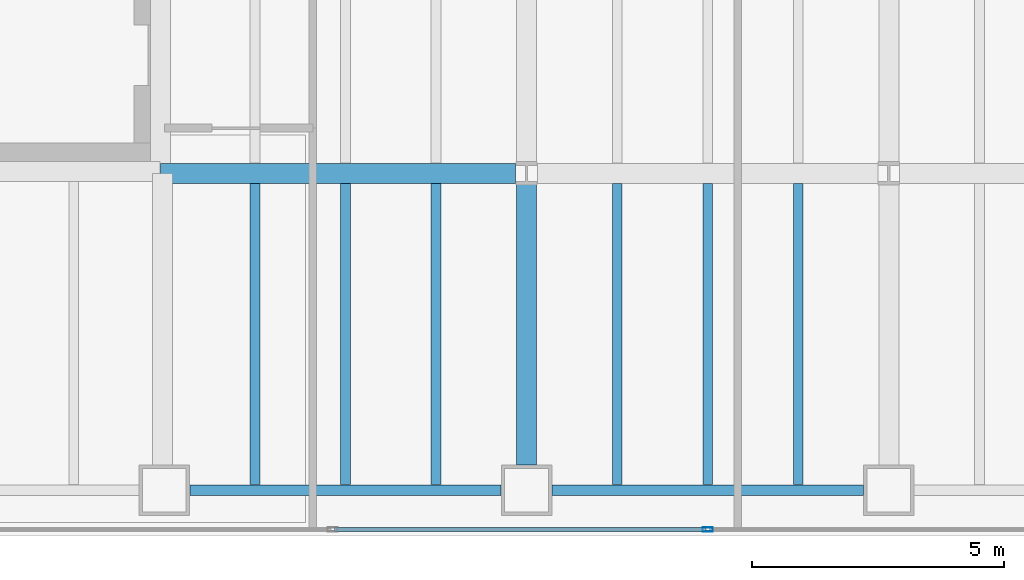
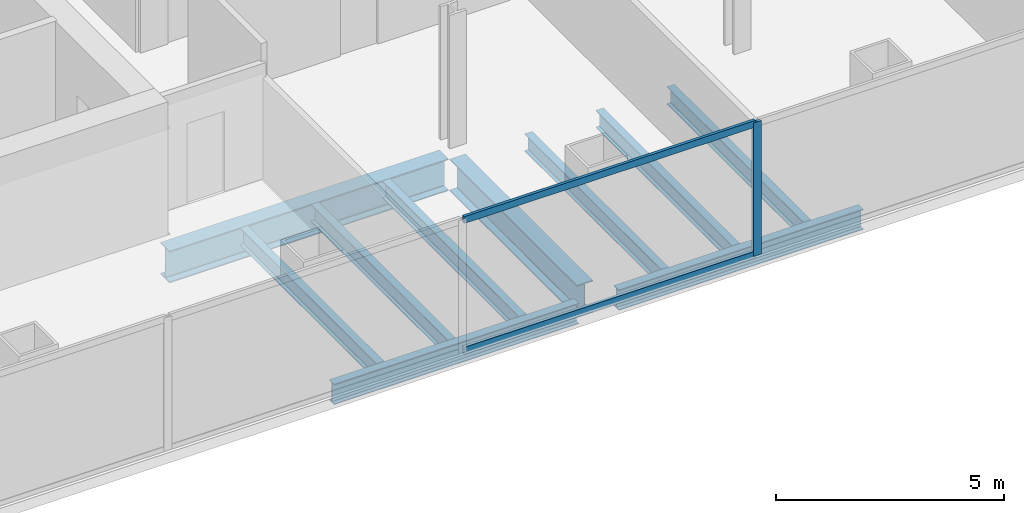
# One storey, part 4 of 25: 10 beams, 3 members, 1 element without a shape of its own.
"""IFC4 building model written with IfcOpenShell, lengths in metres."""

from ifc_helpers import new_model, si_unit, direction, frame, origin, origin_2d, place, context, subcontext, project, spatial, hollow_rectangle, i_section, extrude, material, material_profile, profile_set, type_object, element, aggregate, save


model = new_model("IFC4")

# Units and contexts
model_context = context("Model", 3, precision=1e-05, world=origin(), true_north=direction((0.0, 1.0)))
body_context = subcontext(model_context, "Body", "Model", "MODEL_VIEW")
ifc_project = project(units=[si_unit("LENGTHUNIT", "METRE"), si_unit("AREAUNIT", "SQUARE_METRE"), si_unit("VOLUMEUNIT", "CUBIC_METRE"), si_unit("PLANEANGLEUNIT", "RADIAN"), si_unit("MASSUNIT", "GRAM", prefix="KILO")], contexts=[model_context])

# Site, building, storey
site_placement = place(None, origin())
site = spatial("IfcSite", under=ifc_project, at=site_placement, CompositionType="ELEMENT")
building_placement = place(site_placement, origin())
building = spatial("IfcBuilding", under=site, at=building_placement, Name="Cobrela Telecom Tower", CompositionType="ELEMENT")
storey_placement = place(building_placement, frame((0.0, 0.0, 61.949951171875)))
storey = spatial("IfcBuildingStorey", under=building, at=storey_placement, Name="L15", CompositionType="ELEMENT", Elevation=61.949951171875)

# Beams
ifc_material_1 = material(Name="Steel ASTM A992 Grade 50", Category="steel")
ifc_material_profile_1 = material_profile(ifc_material_1, i_section(OverallWidth=0.39892578125, OverallDepth=0.85595703125, WebThickness=0.018310546875, FlangeThickness=0.029296875, FilletRadius=0.02001953125, at=origin_2d()), Name="W33X201")
ifc_profile_set_1 = profile_set([ifc_material_profile_1], Name="Steel ASTM A992 Grade 50")
beam_type_1 = type_object("IfcBeamType", Name="BM-GIRD-03", PredefinedType="USERDEFINED", material=ifc_profile_set_1)
beam_1_placement = place(storey_placement, frame((14.324951171875, 7.199951171875, -0.7080078125), z_axis=(1.0, 0.0, 0.0), x_axis=(0.0, 1.0, 0.0)))
element("IfcBeam", 1, at=beam_1_placement, inside=storey, type_object=beam_type_1, Name="L15 Primary Girder X08", ObjectType="GIRDER", PredefinedType="USERDEFINED", context=body_context, shape_type="SweptSolid", body=[
    extrude(i_section(OverallWidth=0.39892578125, OverallDepth=0.85595703125, WebThickness=0.018310546875, FlangeThickness=0.029296875, FilletRadius=0.02001953125, at=origin_2d()), origin(), (0.0, 0.0, 1.0), 7.05908203125),
])
beam_2_placement = place(storey_placement, frame((21.60009765625, 1.405029296875, -0.7080078125), z_axis=(0.0, 1.0, 0.0), x_axis=(-1.0, 0.0, 0.0)))
element("IfcBeam", 2, at=beam_2_placement, inside=storey, type_object=beam_type_1, Name="L15 Primary Girder Y40", ObjectType="GIRDER", PredefinedType="USERDEFINED", context=body_context, shape_type="SweptSolid", body=[
    extrude(i_section(OverallWidth=0.39892578125, OverallDepth=0.85595703125, WebThickness=0.018310546875, FlangeThickness=0.029296875, FilletRadius=0.02001953125, at=origin_2d()), origin(), (0.0, 0.0, 1.0), 5.578857421875),
])
ifc_material_profile_2 = material_profile(ifc_material_1, i_section(OverallWidth=0.193115234375, OverallDepth=0.467041015625, WebThickness=0.011474609375, FlangeThickness=0.01904296875, FilletRadius=0.012939453125, at=origin_2d()), Name="W18X65")
ifc_profile_set_2 = profile_set([ifc_material_profile_2], Name="Steel ASTM A992 Grade 50")
beam_type_2 = type_object("IfcBeamType", Name="BM-JOIST-03", PredefinedType="JOIST", material=ifc_profile_set_2)
for number, where, z_axis, x_axis, name in (
    (3, (16.199951171875, 1.011474609375, -0.513427734375), (0.0, 1.0, 0.0), (-1.0, 0.0, 0.0), "L15 Secondary Composite Floor Beam J07"),
    (4, (18.0, 1.011474609375, -0.513427734375), (0.0, 1.0, 0.0), (-1.0, 0.0, 0.0), "L15 Secondary Composite Floor Beam J13"),
    (5, (19.800048828125, 1.011474609375, -0.513427734375), (0.0, 1.0, 0.0), (-1.0, 0.0, 0.0), "L15 Secondary Composite Floor Beam J19"),
    (6, (23.39990234375, 1.011474609375, -0.513427734375), (0.0, 1.0, 0.0), (-1.0, 0.0, 0.0), "L15 Secondary Composite Floor Beam J25"),
    (7, (25.199951171875, 1.011474609375, -0.513427734375), (0.0, 1.0, 0.0), (-1.0, 0.0, 0.0), "L15 Secondary Composite Floor Beam J31"),
    (8, (27.0, 1.011474609375, -0.513427734375), (0.0, 1.0, 0.0), (-1.0, 0.0, 0.0), "L15 Secondary Composite Floor Beam J36"),
):
    element("IfcBeam", number, at=place(storey_placement, frame(where, z_axis=z_axis, x_axis=x_axis)), inside=storey, type_object=beam_type_2, Name=name, PredefinedType="JOIST", context=body_context, shape_type="SweptSolid", body=[
        extrude(i_section(OverallWidth=0.193115234375, OverallDepth=0.467041015625, WebThickness=0.011474609375, FlangeThickness=0.01904296875, FilletRadius=0.012939453125, at=origin_2d()), origin(), (0.0, 0.0, 1.0), 5.984130859375),
    ])
ifc_material_profile_3 = material_profile(ifc_material_1, i_section(OverallWidth=0.212890625, OverallDepth=0.549072265625, WebThickness=0.0146484375, FlangeThickness=0.023681640625, FilletRadius=0.013916015625, at=origin_2d()), Name="W21X93")
ifc_profile_set_3 = profile_set([ifc_material_profile_3], Name="Steel ASTM A992 Grade 50")
beam_type_3 = type_object("IfcBeamType", Name="BM-SPAND-03", PredefinedType="SPANDREL", material=ifc_profile_set_3)
for number, where, z_axis, x_axis, name in (
    (9, (14.905029296875, 0.89990234375, -0.554443359375), (1.0, 0.0, 0.0), (0.0, 1.0, 0.0), "L15 Perimeter Spandrel X02"),
    (10, (22.10498046875, 0.89990234375, -0.554443359375), (1.0, 0.0, 0.0), (0.0, 1.0, 0.0), "L15 Perimeter Spandrel X03"),
):
    element("IfcBeam", number, at=place(storey_placement, frame(where, z_axis=z_axis, x_axis=x_axis)), inside=storey, type_object=beam_type_3, Name=name, PredefinedType="SPANDREL", context=body_context, shape_type="SweptSolid", body=[
        extrude(i_section(OverallWidth=0.212890625, OverallDepth=0.549072265625, WebThickness=0.0146484375, FlangeThickness=0.023681640625, FilletRadius=0.013916015625, at=origin_2d()), origin(), (0.0, 0.0, 1.0), 6.18994140625),
    ])

# Curtain wall, members
ifc_material_2 = material(Name="Anodized Bronze Aluminium 6063-T6", Category="aluminium")
curtain_wall_type = type_object("IfcCurtainWallType", Name="CW-SYS-DATA", PredefinedType="USERDEFINED", material=ifc_material_2)
curtain_wall_placement = place(storey_placement, origin())
curtain_wall = element("IfcCurtainWall", 11, at=curtain_wall_placement, inside=storey, type_object=curtain_wall_type, Name="L15 Unitised Bronze Curtain Wall 17", ObjectType="UNITISED CURTAIN WALL", PredefinedType="USERDEFINED")
ifc_material_profile_4 = material_profile(ifc_material_2, hollow_rectangle(XDim=0.080078125, YDim=0.199951171875, WallThickness=0.00390625, at=origin_2d()), Name="ALU 80x200x4")
ifc_profile_set_4 = profile_set([ifc_material_profile_4], Name="Anodized Bronze Aluminium 6063-T6")
member_type_1 = type_object("IfcMemberType", Name="CW-SYS-DATA-MUL", PredefinedType="MULLION", material=ifc_profile_set_4)
member_1_placement = place(storey_placement, frame((25.199951171875, 0.1201171875, 0.0), z_axis=(0.0, 0.0, 1.0), x_axis=(0.0, -1.0, 0.0)))
member_1 = element("IfcMember", 12, at=member_1_placement, type_object=member_type_1, Name="CW-DATA mullion 4", PredefinedType="MULLION", context=body_context, shape_type="SweptSolid", body=[
    extrude(hollow_rectangle(XDim=0.080078125, YDim=0.199951171875, WallThickness=0.00390625, at=origin_2d()), origin(), (0.0, 0.0, 1.0), 3.570068359375),
])
ifc_material_profile_5 = material_profile(ifc_material_2, hollow_rectangle(XDim=0.074951171875, YDim=0.179931640625, WallThickness=0.00390625, at=origin_2d()), Name="ALU 75x180x4")
ifc_profile_set_5 = profile_set([ifc_material_profile_5], Name="Anodized Bronze Aluminium 6063-T6")
member_type_2 = type_object("IfcMemberType", Name="CW-SYS-DATA-TRN", PredefinedType="USERDEFINED", material=ifc_profile_set_5)
member_2_placement = place(storey_placement, frame((25.159912109375, 0.1201171875, 0.03759765625), z_axis=(-1.0, 0.0, 0.0), x_axis=(0.0, -1.0, 0.0)))
member_2 = element("IfcMember", 13, at=member_2_placement, type_object=member_type_2, Name="CW-DATA transom 4.1", ObjectType="TRANSOM", PredefinedType="USERDEFINED", context=body_context, shape_type="SweptSolid", body=[
    extrude(hollow_rectangle(XDim=0.074951171875, YDim=0.179931640625, WallThickness=0.00390625, at=origin_2d()), origin(), (0.0, 0.0, 1.0), 7.37646484375),
])
member_3_placement = place(storey_placement, frame((25.159912109375, 0.1201171875, 3.532470703125), z_axis=(-1.0, 0.0, 0.0), x_axis=(0.0, -1.0, 0.0)))
member_3 = element("IfcMember", 14, at=member_3_placement, type_object=member_type_2, Name="CW-DATA transom 4.2", ObjectType="TRANSOM", PredefinedType="USERDEFINED", context=body_context, shape_type="SweptSolid", body=[
    extrude(hollow_rectangle(XDim=0.074951171875, YDim=0.179931640625, WallThickness=0.00390625, at=origin_2d()), origin(), (0.0, 0.0, 1.0), 7.37646484375),
])
aggregate(curtain_wall, [member_1, member_2, member_3])

save(model, "model.ifc")
